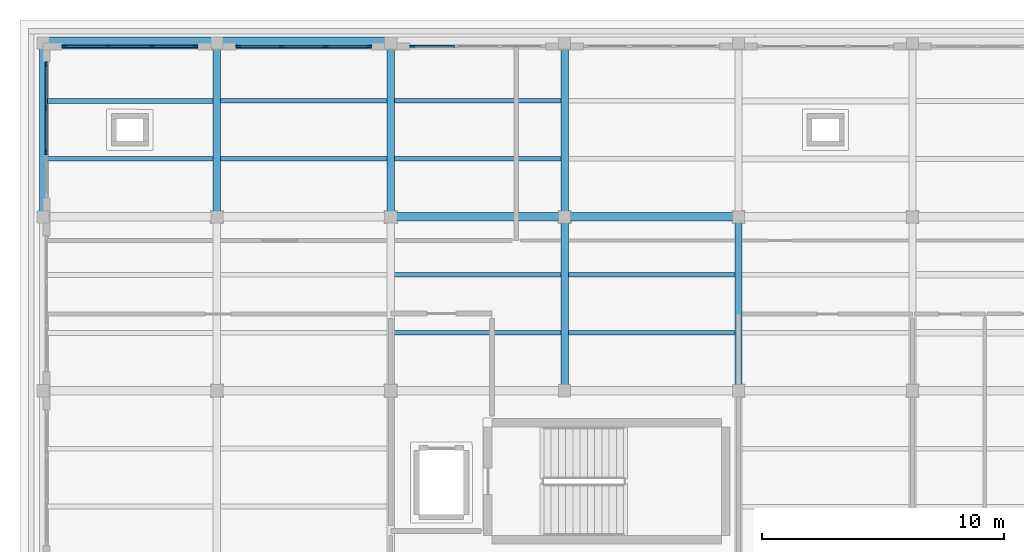
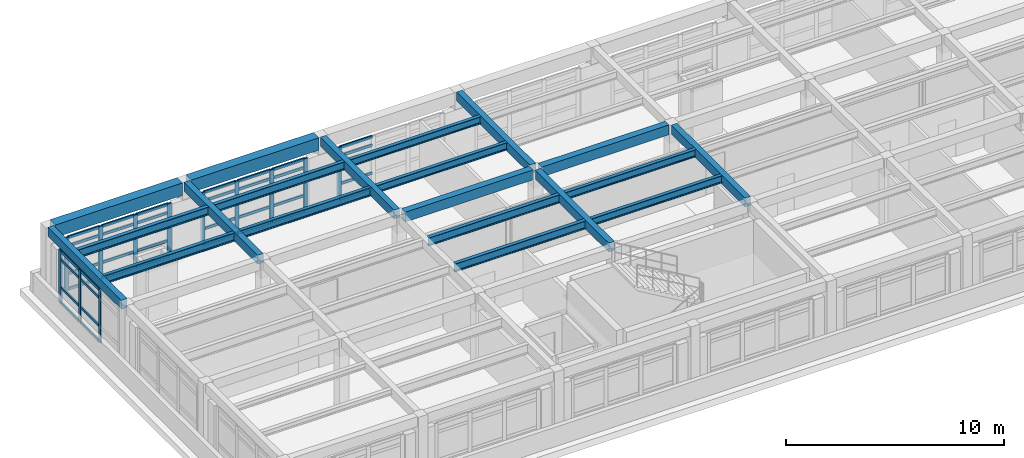
# One storey, part 4 of 20: 48 members, 20 beams, 4 elements without a shape of their own.
"""IFC4 building model written with IfcOpenShell, lengths in metres."""

from ifc_helpers import new_model, si_unit, direction, frame, origin, origin_2d, place, context, subcontext, project, spatial, rectangle, i_section, extrude, material, layer, layer_set, material_profile, profile_set, type_object, element, aggregate, save


model = new_model("IFC4")

# Units and contexts
model_context = context("Model", 3, precision=1e-05, world=origin(), true_north=direction((0.0, 1.0)))
body_context = subcontext(model_context, "Body", "Model", "MODEL_VIEW")
ifc_project = project(units=[si_unit("LENGTHUNIT", "METRE"), si_unit("AREAUNIT", "SQUARE_METRE"), si_unit("VOLUMEUNIT", "CUBIC_METRE"), si_unit("PLANEANGLEUNIT", "RADIAN"), si_unit("MASSUNIT", "GRAM", prefix="KILO")], contexts=[model_context])

# Site, building, storey
site_placement = place(None, origin())
site = spatial("IfcSite", under=ifc_project, at=site_placement, CompositionType="ELEMENT")
building_placement = place(site_placement, origin())
building = spatial("IfcBuilding", under=site, at=building_placement, Name="Solenvale Faculty of Natural Sciences", CompositionType="ELEMENT")
storey_placement = place(building_placement, frame((0.0, 0.0, 35.39990234375)))
storey = spatial("IfcBuildingStorey", under=building, at=storey_placement, Name="L08", CompositionType="ELEMENT", Elevation=35.39990234375)

# Beams
ifc_material_1 = material(Name="Concrete 40 MPa", Category="concrete")
ifc_material_profile_1 = material_profile(ifc_material_1, rectangle(XDim=0.300048828125, YDim=0.5, at=origin_2d()), Name="RC-BM-300x500")
ifc_profile_set_1 = profile_set([ifc_material_profile_1], Name="Concrete 40 MPa")
beam_type_1 = type_object("IfcBeamType", Name="BM-RC-300x500", PredefinedType="BEAM", material=ifc_profile_set_1)
for number, where, z_axis, x_axis, name in (
    (1, (86.39990234375, 108.22998046875, 3.670166015625), (0.0, 1.0, 0.0), (-1.0, 0.0, 0.0), "L08 Y-Girder X86.4 (108.0..115.2)"),
    (2, (93.60009765625, 108.22998046875, 3.670166015625), (0.0, 1.0, 0.0), (-1.0, 0.0, 0.0), "L08 Y-Girder X93.6 (108.0..115.2)"),
    (3, (100.800048828125, 108.22998046875, 3.670166015625), (0.0, 1.0, 0.0), (-1.0, 0.0, 0.0), "L08 Y-Girder X100.8 (108.0..115.2)"),
    (4, (108.0, 101.030029296875, 3.670166015625), (0.0, 1.0, 0.0), (-1.0, 0.0, 0.0), "L08 Y-Girder X108.0 (100.8..108.0)"),
    (5, (108.0, 108.22998046875, 3.670166015625), (0.0, 1.0, 0.0), (-1.0, 0.0, 0.0), "L08 Y-Girder X108.0 (108.0..115.2)"),
    (6, (115.199951171875, 101.030029296875, 3.670166015625), (0.0, 1.0, 0.0), (-1.0, 0.0, 0.0), "L08 Y-Girder X115.2 (100.8..108.0)"),
):
    element("IfcBeam", number, at=place(storey_placement, frame(where, z_axis=z_axis, x_axis=x_axis)), inside=storey, type_object=beam_type_1, Name=name, PredefinedType="BEAM", context=body_context, shape_type="SweptSolid", body=[
        extrude(rectangle(XDim=0.300048828125, YDim=0.5, at=origin_2d()), origin(), (0.0, 0.0, 1.0), 6.739990234375),
    ])
ifc_material_profile_2 = material_profile(ifc_material_1, rectangle(XDim=0.35009765625, YDim=0.550048828125, at=origin_2d()), Name="RC-BM-350x550")
ifc_profile_set_2 = profile_set([ifc_material_profile_2], Name="Concrete 40 MPa")
beam_type_2 = type_object("IfcBeamType", Name="BM-RC-350x550", PredefinedType="BEAM", material=ifc_profile_set_2)
for number, where, z_axis, x_axis, name in (
    (7, (101.030029296875, 108.0, 3.64501953125), (1.0, 0.0, 0.0), (0.0, 1.0, 0.0), "L08 X-Girder Y108.0 (100.8..108.0)"),
    (8, (108.22998046875, 108.0, 3.64501953125), (1.0, 0.0, 0.0), (0.0, 1.0, 0.0), "L08 X-Girder Y108.0 (108.0..115.2)"),
):
    element("IfcBeam", number, at=place(storey_placement, frame(where, z_axis=z_axis, x_axis=x_axis)), inside=storey, type_object=beam_type_2, Name=name, PredefinedType="BEAM", context=body_context, shape_type="SweptSolid", body=[
        extrude(rectangle(XDim=0.35009765625, YDim=0.550048828125, at=origin_2d()), origin(), (0.0, 0.0, 1.0), 6.739990234375),
    ])
ifc_material_2 = material(Name="Precast concrete 40 MPa", Category="concrete")
ifc_material_profile_3 = material_profile(ifc_material_2, rectangle(XDim=0.5, YDim=0.699951171875, at=origin_2d()), Name="RC-BM-500x700")
ifc_profile_set_3 = profile_set([ifc_material_profile_3], Name="Precast concrete 40 MPa")
beam_type_3 = type_object("IfcBeamType", Name="BM-SPN-PRC-700", PredefinedType="SPANDREL", material=ifc_profile_set_3)
beam_1_placement = place(storey_placement, frame((86.6298828125, 115.199951171875, 3.570068359375), z_axis=(1.0, 0.0, 0.0), x_axis=(0.0, 1.0, 0.0)))
element("IfcBeam", 9, at=beam_1_placement, inside=storey, type_object=beam_type_3, Name="L08 X-Girder Y115.2 (86.4..93.6)", PredefinedType="SPANDREL", context=body_context, shape_type="SweptSolid", body=[
    extrude(rectangle(XDim=0.5, YDim=0.699951171875, at=origin_2d()), origin(), (0.0, 0.0, 1.0), 6.740234375),
])
beam_2_placement = place(storey_placement, frame((93.830078125, 115.199951171875, 3.570068359375), z_axis=(1.0, 0.0, 0.0), x_axis=(0.0, 1.0, 0.0)))
element("IfcBeam", 10, at=beam_2_placement, inside=storey, type_object=beam_type_3, Name="L08 X-Girder Y115.2 (93.6..100.8)", PredefinedType="SPANDREL", context=body_context, shape_type="SweptSolid", body=[
    extrude(rectangle(XDim=0.5, YDim=0.699951171875, at=origin_2d()), origin(), (0.0, 0.0, 1.0), 6.739990234375),
])
ifc_material_3 = material(Name="Steel S355", Category="steel")
ifc_material_profile_4 = material_profile(ifc_material_3, i_section(OverallWidth=0.180908203125, OverallDepth=0.4169921875, WebThickness=0.010986328125, FlangeThickness=0.018310546875, FilletRadius=0.01611328125, at=origin_2d()), Name="W410x85")
ifc_profile_set_4 = profile_set([ifc_material_profile_4], Name="Steel S355")
beam_type_4 = type_object("IfcBeamType", Name="BM-STL-W410x85", PredefinedType="JOIST", material=ifc_profile_set_4)
for number, where, z_axis, x_axis, name in (
    (11, (100.929931640625, 110.39990234375, 3.711669921875), (1.0, 0.0, 0.0), (0.0, 1.0, 0.0), "L08 Composite Floor Joist (15,16).1"),
    (12, (100.929931640625, 112.800048828125, 3.711669921875), (1.0, 0.0, 0.0), (0.0, 1.0, 0.0), "L08 Composite Floor Joist (15,16).2"),
    (13, (108.1298828125, 103.199951171875, 3.711669921875), (1.0, 0.0, 0.0), (0.0, 1.0, 0.0), "L08 Composite Floor Joist (16,15).1"),
    (14, (108.1298828125, 105.60009765625, 3.711669921875), (1.0, 0.0, 0.0), (0.0, 1.0, 0.0), "L08 Composite Floor Joist (16,15).2"),
):
    element("IfcBeam", number, at=place(storey_placement, frame(where, z_axis=z_axis, x_axis=x_axis)), inside=storey, type_object=beam_type_4, Name=name, PredefinedType="JOIST", context=body_context, shape_type="SweptSolid", body=[
        extrude(i_section(OverallWidth=0.180908203125, OverallDepth=0.4169921875, WebThickness=0.010986328125, FlangeThickness=0.018310546875, FilletRadius=0.01611328125, at=origin_2d()), origin(), (0.0, 0.0, 1.0), 6.940185546875),
    ])
ifc_material_profile_5 = material_profile(ifc_material_3, i_section(OverallWidth=0.194091796875, OverallDepth=0.468994140625, WebThickness=0.0126953125, FlangeThickness=0.0205078125, FilletRadius=0.01806640625, at=origin_2d()), Name="W460x106")
ifc_profile_set_5 = profile_set([ifc_material_profile_5], Name="Steel S355")
beam_type_5 = type_object("IfcBeamType", Name="BM-STL-W460x106", PredefinedType="JOIST", material=ifc_profile_set_5)
for number, where, z_axis, x_axis, name in (
    (15, (86.530029296875, 110.39990234375, 3.685546875), (1.0, 0.0, 0.0), (0.0, 1.0, 0.0), "L08 Composite Floor Joist (13,16).1"),
    (16, (86.530029296875, 112.800048828125, 3.685546875), (1.0, 0.0, 0.0), (0.0, 1.0, 0.0), "L08 Composite Floor Joist (13,16).2"),
):
    element("IfcBeam", number, at=place(storey_placement, frame(where, z_axis=z_axis, x_axis=x_axis)), inside=storey, type_object=beam_type_5, Name=name, PredefinedType="JOIST", context=body_context, shape_type="SweptSolid", body=[
        extrude(i_section(OverallWidth=0.194091796875, OverallDepth=0.468994140625, WebThickness=0.0126953125, FlangeThickness=0.0205078125, FilletRadius=0.01806640625, at=origin_2d()), origin(), (0.0, 0.0, 1.0), 6.93994140625),
    ])
ifc_material_profile_6 = material_profile(ifc_material_3, i_section(OverallWidth=0.19091796875, OverallDepth=0.4599609375, WebThickness=0.010009765625, FlangeThickness=0.01611328125, FilletRadius=0.01806640625, at=origin_2d()), Name="W460x82")
ifc_profile_set_6 = profile_set([ifc_material_profile_6], Name="Steel S355")
beam_type_6 = type_object("IfcBeamType", Name="BM-STL-W460x82", PredefinedType="JOIST", material=ifc_profile_set_6)
for number, where, z_axis, x_axis, name in (
    (17, (93.72998046875, 110.39990234375, 3.690185546875), (1.0, 0.0, 0.0), (0.0, 1.0, 0.0), "L08 Composite Floor Joist (14,16).1"),
    (18, (93.72998046875, 112.800048828125, 3.690185546875), (1.0, 0.0, 0.0), (0.0, 1.0, 0.0), "L08 Composite Floor Joist (14,16).2"),
):
    element("IfcBeam", number, at=place(storey_placement, frame(where, z_axis=z_axis, x_axis=x_axis)), inside=storey, type_object=beam_type_6, Name=name, PredefinedType="JOIST", context=body_context, shape_type="SweptSolid", body=[
        extrude(i_section(OverallWidth=0.19091796875, OverallDepth=0.4599609375, WebThickness=0.010009765625, FlangeThickness=0.01611328125, FilletRadius=0.01806640625, at=origin_2d()), origin(), (0.0, 0.0, 1.0), 6.93994140625),
    ])
for number, where, z_axis, x_axis, name in (
    (19, (100.929931640625, 103.199951171875, 3.690185546875), (1.0, 0.0, 0.0), (0.0, 1.0, 0.0), "L08 Composite Floor Joist (15,15).1"),
    (20, (100.929931640625, 105.60009765625, 3.690185546875), (1.0, 0.0, 0.0), (0.0, 1.0, 0.0), "L08 Composite Floor Joist (15,15).2"),
):
    element("IfcBeam", number, at=place(storey_placement, frame(where, z_axis=z_axis, x_axis=x_axis)), inside=storey, type_object=beam_type_6, Name=name, PredefinedType="JOIST", context=body_context, shape_type="SweptSolid", body=[
        extrude(i_section(OverallWidth=0.19091796875, OverallDepth=0.4599609375, WebThickness=0.010009765625, FlangeThickness=0.01611328125, FilletRadius=0.01806640625, at=origin_2d()), origin(), (0.0, 0.0, 1.0), 6.940185546875),
    ])

# Curtain wall, member
ifc_material_4 = material(Name="Anodised bronze aluminium", Category="aluminium")
ifc_layer = layer(ifc_material_4, 0.179931640625)
ifc_layer_set = layer_set([ifc_layer], Name="Anodised bronze aluminium")
curtain_wall_type = type_object("IfcCurtainWallType", Name="CW-TWR-MOD", PredefinedType="USERDEFINED", material=ifc_layer_set)
curtain_wall_1_placement = place(storey_placement, origin())
curtain_wall_1 = element("IfcCurtainWall", 21, at=curtain_wall_1_placement, inside=storey, type_object=curtain_wall_type, Name="L08 Curtain Wall CW-L08-P1-E2-B7", ObjectType="UNITISED CURTAIN WALL", PredefinedType="USERDEFINED")
ifc_material_profile_7 = material_profile(ifc_material_4, rectangle(XDim=0.074951171875, YDim=0.2099609375, at=origin_2d()), Name="ALU-MUL-75x210")
ifc_profile_set_7 = profile_set([ifc_material_profile_7], Name="Anodised bronze aluminium")
member_type_1 = type_object("IfcMemberType", Name="CWM-ALU-75x210", PredefinedType="MULLION", material=ifc_profile_set_7)
member_1_placement = place(storey_placement, frame((101.6875, 115.0576171875, 0.0), z_axis=(0.0, 0.0, 1.0), x_axis=(0.0, -1.0, 0.0)))
member_1 = element("IfcMember", 22, at=member_1_placement, type_object=member_type_1, Name="CW-04 mullion 4", PredefinedType="MULLION", context=body_context, shape_type="SweptSolid", body=[
    extrude(rectangle(XDim=0.074951171875, YDim=0.2099609375, at=origin_2d()), origin(), (0.0, 0.0, 1.0), 2.960205078125),
])

# Curtain wall, members
curtain_wall_2_placement = place(storey_placement, origin())
curtain_wall_2 = element("IfcCurtainWall", 23, at=curtain_wall_2_placement, inside=storey, type_object=curtain_wall_type, Name="L08 Curtain Wall CW-L08-P1-E2-B8", ObjectType="UNITISED CURTAIN WALL", PredefinedType="USERDEFINED")
member_2_placement = place(storey_placement, frame((99.91259765625, 115.0576171875, 0.0), z_axis=(0.0, 0.0, 1.0), x_axis=(0.0, -1.0, 0.0)))
member_2 = element("IfcMember", 24, at=member_2_placement, type_object=member_type_1, Name="CW-04 mullion 1", PredefinedType="MULLION", context=body_context, shape_type="SweptSolid", body=[
    extrude(rectangle(XDim=0.074951171875, YDim=0.2099609375, at=origin_2d()), origin(), (0.0, 0.0, 1.0), 2.960205078125),
])
member_3_placement = place(storey_placement, frame((98.11669921875, 115.0576171875, 0.0), z_axis=(0.0, 0.0, 1.0), x_axis=(0.0, -1.0, 0.0)))
member_3 = element("IfcMember", 25, at=member_3_placement, type_object=member_type_1, Name="CW-04 mullion 2", PredefinedType="MULLION", context=body_context, shape_type="SweptSolid", body=[
    extrude(rectangle(XDim=0.074951171875, YDim=0.2099609375, at=origin_2d()), origin(), (0.0, 0.0, 1.0), 2.960205078125),
])
member_4_placement = place(storey_placement, frame((96.283447265625, 115.0576171875, 0.0), z_axis=(0.0, 0.0, 1.0), x_axis=(0.0, -1.0, 0.0)))
member_4 = element("IfcMember", 26, at=member_4_placement, type_object=member_type_1, Name="CW-04 mullion 3", PredefinedType="MULLION", context=body_context, shape_type="SweptSolid", body=[
    extrude(rectangle(XDim=0.074951171875, YDim=0.2099609375, at=origin_2d()), origin(), (0.0, 0.0, 1.0), 2.960205078125),
])
member_5_placement = place(storey_placement, frame((94.487548828125, 115.0576171875, 0.0), z_axis=(0.0, 0.0, 1.0), x_axis=(0.0, -1.0, 0.0)))
member_5 = element("IfcMember", 27, at=member_5_placement, type_object=member_type_1, Name="CW-04 mullion 4", PredefinedType="MULLION", context=body_context, shape_type="SweptSolid", body=[
    extrude(rectangle(XDim=0.074951171875, YDim=0.2099609375, at=origin_2d()), origin(), (0.0, 0.0, 1.0), 2.960205078125),
])

curtain_wall_3_placement = place(storey_placement, origin())
curtain_wall_3 = element("IfcCurtainWall", 28, at=curtain_wall_3_placement, inside=storey, type_object=curtain_wall_type, Name="L08 Curtain Wall CW-L08-P1-E2-B9", ObjectType="UNITISED CURTAIN WALL", PredefinedType="USERDEFINED")
member_6_placement = place(storey_placement, frame((92.71240234375, 115.0576171875, 0.0), z_axis=(0.0, 0.0, 1.0), x_axis=(0.0, -1.0, 0.0)))
member_6 = element("IfcMember", 29, at=member_6_placement, type_object=member_type_1, Name="CW-04 mullion 1", PredefinedType="MULLION", context=body_context, shape_type="SweptSolid", body=[
    extrude(rectangle(XDim=0.074951171875, YDim=0.2099609375, at=origin_2d()), origin(), (0.0, 0.0, 1.0), 2.960205078125),
])
member_7_placement = place(storey_placement, frame((90.916748046875, 115.0576171875, 0.0), z_axis=(0.0, 0.0, 1.0), x_axis=(0.0, -1.0, 0.0)))
member_7 = element("IfcMember", 30, at=member_7_placement, type_object=member_type_1, Name="CW-04 mullion 2", PredefinedType="MULLION", context=body_context, shape_type="SweptSolid", body=[
    extrude(rectangle(XDim=0.074951171875, YDim=0.2099609375, at=origin_2d()), origin(), (0.0, 0.0, 1.0), 2.960205078125),
])
member_8_placement = place(storey_placement, frame((89.083251953125, 115.0576171875, 0.0), z_axis=(0.0, 0.0, 1.0), x_axis=(0.0, -1.0, 0.0)))
member_8 = element("IfcMember", 31, at=member_8_placement, type_object=member_type_1, Name="CW-04 mullion 3", PredefinedType="MULLION", context=body_context, shape_type="SweptSolid", body=[
    extrude(rectangle(XDim=0.074951171875, YDim=0.2099609375, at=origin_2d()), origin(), (0.0, 0.0, 1.0), 2.960205078125),
])
member_9_placement = place(storey_placement, frame((87.28759765625, 115.0576171875, 0.0), z_axis=(0.0, 0.0, 1.0), x_axis=(0.0, -1.0, 0.0)))
member_9 = element("IfcMember", 32, at=member_9_placement, type_object=member_type_1, Name="CW-04 mullion 4", PredefinedType="MULLION", context=body_context, shape_type="SweptSolid", body=[
    extrude(rectangle(XDim=0.074951171875, YDim=0.2099609375, at=origin_2d()), origin(), (0.0, 0.0, 1.0), 2.960205078125),
])

curtain_wall_4_placement = place(storey_placement, origin())
curtain_wall_4 = element("IfcCurtainWall", 33, at=curtain_wall_4_placement, inside=storey, type_object=curtain_wall_type, Name="L08 Curtain Wall CW-L08-P1-E3-B1", ObjectType="UNITISED CURTAIN WALL", PredefinedType="USERDEFINED")
member_10_placement = place(storey_placement, frame((86.54248046875, 114.3125, 0.0), z_axis=(0.0, 0.0, 1.0), x_axis=(1.0, 0.0, 0.0)))
member_10 = element("IfcMember", 34, at=member_10_placement, type_object=member_type_1, Name="CW-04 mullion 1", PredefinedType="MULLION", context=body_context, shape_type="SweptSolid", body=[
    extrude(rectangle(XDim=0.074951171875, YDim=0.2099609375, at=origin_2d()), origin(), (0.0, 0.0, 1.0), 2.960205078125),
])
member_11_placement = place(storey_placement, frame((86.54248046875, 112.5166015625, 0.0), z_axis=(0.0, 0.0, 1.0), x_axis=(1.0, 0.0, 0.0)))
member_11 = element("IfcMember", 35, at=member_11_placement, type_object=member_type_1, Name="CW-04 mullion 2", PredefinedType="MULLION", context=body_context, shape_type="SweptSolid", body=[
    extrude(rectangle(XDim=0.074951171875, YDim=0.2099609375, at=origin_2d()), origin(), (0.0, 0.0, 1.0), 2.960205078125),
])
member_12_placement = place(storey_placement, frame((86.54248046875, 110.683349609375, 0.0), z_axis=(0.0, 0.0, 1.0), x_axis=(1.0, 0.0, 0.0)))
member_12 = element("IfcMember", 36, at=member_12_placement, type_object=member_type_1, Name="CW-04 mullion 3", PredefinedType="MULLION", context=body_context, shape_type="SweptSolid", body=[
    extrude(rectangle(XDim=0.074951171875, YDim=0.2099609375, at=origin_2d()), origin(), (0.0, 0.0, 1.0), 2.960205078125),
])

# Member
ifc_material_profile_8 = material_profile(ifc_material_4, rectangle(XDim=0.074951171875, YDim=0.155029296875, at=origin_2d()), Name="ALU-TRN-75x155")
ifc_profile_set_8 = profile_set([ifc_material_profile_8], Name="Anodised bronze aluminium")
member_type_2 = type_object("IfcMemberType", Name="CWT-ALU-75x155", PredefinedType="USERDEFINED", material=ifc_profile_set_8)
member_13_placement = place(storey_placement, frame((103.44580078125, 115.0576171875, 0.03759765625), z_axis=(-1.0, 0.0, 0.0), x_axis=(0.0, -1.0, 0.0)))
member_13 = element("IfcMember", 37, at=member_13_placement, type_object=member_type_2, Name="CW-04 transom 3.1", ObjectType="TRANSOM", PredefinedType="USERDEFINED", context=body_context, shape_type="SweptSolid", body=[
    extrude(rectangle(XDim=0.074951171875, YDim=0.155029296875, at=origin_2d()), origin(), (0.0, 0.0, 1.0), 1.720703125),
])

member_14_placement = place(storey_placement, frame((103.44580078125, 115.0576171875, 0.900146484375), z_axis=(-1.0, 0.0, 0.0), x_axis=(0.0, -1.0, 0.0)))
member_14 = element("IfcMember", 38, at=member_14_placement, type_object=member_type_2, Name="CW-04 transom 3.2", ObjectType="TRANSOM", PredefinedType="USERDEFINED", context=body_context, shape_type="SweptSolid", body=[
    extrude(rectangle(XDim=0.074951171875, YDim=0.155029296875, at=origin_2d()), origin(), (0.0, 0.0, 1.0), 1.720703125),
])

member_15_placement = place(storey_placement, frame((103.44580078125, 115.0576171875, 2.460205078125), z_axis=(-1.0, 0.0, 0.0), x_axis=(0.0, -1.0, 0.0)))
member_15 = element("IfcMember", 39, at=member_15_placement, type_object=member_type_2, Name="CW-04 transom 3.3", ObjectType="TRANSOM", PredefinedType="USERDEFINED", context=body_context, shape_type="SweptSolid", body=[
    extrude(rectangle(XDim=0.074951171875, YDim=0.155029296875, at=origin_2d()), origin(), (0.0, 0.0, 1.0), 1.720703125),
])

member_16_placement = place(storey_placement, frame((103.44580078125, 115.0576171875, 2.922607421875), z_axis=(-1.0, 0.0, 0.0), x_axis=(0.0, -1.0, 0.0)))
member_16 = element("IfcMember", 40, at=member_16_placement, type_object=member_type_2, Name="CW-04 transom 3.4", ObjectType="TRANSOM", PredefinedType="USERDEFINED", context=body_context, shape_type="SweptSolid", body=[
    extrude(rectangle(XDim=0.074951171875, YDim=0.155029296875, at=origin_2d()), origin(), (0.0, 0.0, 1.0), 1.720703125),
])

aggregate(curtain_wall_1, [member_1, member_13, member_14, member_15, member_16])

member_17_placement = place(storey_placement, frame((99.875, 115.0576171875, 0.03759765625), z_axis=(-1.0, 0.0, 0.0), x_axis=(0.0, -1.0, 0.0)))
member_17 = element("IfcMember", 41, at=member_17_placement, type_object=member_type_2, Name="CW-04 transom 1.1", ObjectType="TRANSOM", PredefinedType="USERDEFINED", context=body_context, shape_type="SweptSolid", body=[
    extrude(rectangle(XDim=0.074951171875, YDim=0.155029296875, at=origin_2d()), origin(), (0.0, 0.0, 1.0), 1.720947265625),
])

member_18_placement = place(storey_placement, frame((99.875, 115.0576171875, 0.900146484375), z_axis=(-1.0, 0.0, 0.0), x_axis=(0.0, -1.0, 0.0)))
member_18 = element("IfcMember", 42, at=member_18_placement, type_object=member_type_2, Name="CW-04 transom 1.2", ObjectType="TRANSOM", PredefinedType="USERDEFINED", context=body_context, shape_type="SweptSolid", body=[
    extrude(rectangle(XDim=0.074951171875, YDim=0.155029296875, at=origin_2d()), origin(), (0.0, 0.0, 1.0), 1.720947265625),
])

member_19_placement = place(storey_placement, frame((99.875, 115.0576171875, 2.460205078125), z_axis=(-1.0, 0.0, 0.0), x_axis=(0.0, -1.0, 0.0)))
member_19 = element("IfcMember", 43, at=member_19_placement, type_object=member_type_2, Name="CW-04 transom 1.3", ObjectType="TRANSOM", PredefinedType="USERDEFINED", context=body_context, shape_type="SweptSolid", body=[
    extrude(rectangle(XDim=0.074951171875, YDim=0.155029296875, at=origin_2d()), origin(), (0.0, 0.0, 1.0), 1.720947265625),
])

member_20_placement = place(storey_placement, frame((99.875, 115.0576171875, 2.922607421875), z_axis=(-1.0, 0.0, 0.0), x_axis=(0.0, -1.0, 0.0)))
member_20 = element("IfcMember", 44, at=member_20_placement, type_object=member_type_2, Name="CW-04 transom 1.4", ObjectType="TRANSOM", PredefinedType="USERDEFINED", context=body_context, shape_type="SweptSolid", body=[
    extrude(rectangle(XDim=0.074951171875, YDim=0.155029296875, at=origin_2d()), origin(), (0.0, 0.0, 1.0), 1.720947265625),
])

member_21_placement = place(storey_placement, frame((98.0791015625, 115.0576171875, 0.03759765625), z_axis=(-1.0, 0.0, 0.0), x_axis=(0.0, -1.0, 0.0)))
member_21 = element("IfcMember", 45, at=member_21_placement, type_object=member_type_2, Name="CW-04 transom 2.1", ObjectType="TRANSOM", PredefinedType="USERDEFINED", context=body_context, shape_type="SweptSolid", body=[
    extrude(rectangle(XDim=0.074951171875, YDim=0.155029296875, at=origin_2d()), origin(), (0.0, 0.0, 1.0), 1.75830078125),
])

member_22_placement = place(storey_placement, frame((98.0791015625, 115.0576171875, 0.900146484375), z_axis=(-1.0, 0.0, 0.0), x_axis=(0.0, -1.0, 0.0)))
member_22 = element("IfcMember", 46, at=member_22_placement, type_object=member_type_2, Name="CW-04 transom 2.2", ObjectType="TRANSOM", PredefinedType="USERDEFINED", context=body_context, shape_type="SweptSolid", body=[
    extrude(rectangle(XDim=0.074951171875, YDim=0.155029296875, at=origin_2d()), origin(), (0.0, 0.0, 1.0), 1.75830078125),
])

member_23_placement = place(storey_placement, frame((98.0791015625, 115.0576171875, 2.460205078125), z_axis=(-1.0, 0.0, 0.0), x_axis=(0.0, -1.0, 0.0)))
member_23 = element("IfcMember", 47, at=member_23_placement, type_object=member_type_2, Name="CW-04 transom 2.3", ObjectType="TRANSOM", PredefinedType="USERDEFINED", context=body_context, shape_type="SweptSolid", body=[
    extrude(rectangle(XDim=0.074951171875, YDim=0.155029296875, at=origin_2d()), origin(), (0.0, 0.0, 1.0), 1.75830078125),
])

member_24_placement = place(storey_placement, frame((98.0791015625, 115.0576171875, 2.922607421875), z_axis=(-1.0, 0.0, 0.0), x_axis=(0.0, -1.0, 0.0)))
member_24 = element("IfcMember", 48, at=member_24_placement, type_object=member_type_2, Name="CW-04 transom 2.4", ObjectType="TRANSOM", PredefinedType="USERDEFINED", context=body_context, shape_type="SweptSolid", body=[
    extrude(rectangle(XDim=0.074951171875, YDim=0.155029296875, at=origin_2d()), origin(), (0.0, 0.0, 1.0), 1.75830078125),
])

member_25_placement = place(storey_placement, frame((96.245849609375, 115.0576171875, 0.03759765625), z_axis=(-1.0, 0.0, 0.0), x_axis=(0.0, -1.0, 0.0)))
member_25 = element("IfcMember", 49, at=member_25_placement, type_object=member_type_2, Name="CW-04 transom 3.1", ObjectType="TRANSOM", PredefinedType="USERDEFINED", context=body_context, shape_type="SweptSolid", body=[
    extrude(rectangle(XDim=0.074951171875, YDim=0.155029296875, at=origin_2d()), origin(), (0.0, 0.0, 1.0), 1.720947265625),
])

member_26_placement = place(storey_placement, frame((96.245849609375, 115.0576171875, 0.900146484375), z_axis=(-1.0, 0.0, 0.0), x_axis=(0.0, -1.0, 0.0)))
member_26 = element("IfcMember", 50, at=member_26_placement, type_object=member_type_2, Name="CW-04 transom 3.2", ObjectType="TRANSOM", PredefinedType="USERDEFINED", context=body_context, shape_type="SweptSolid", body=[
    extrude(rectangle(XDim=0.074951171875, YDim=0.155029296875, at=origin_2d()), origin(), (0.0, 0.0, 1.0), 1.720947265625),
])

member_27_placement = place(storey_placement, frame((96.245849609375, 115.0576171875, 2.460205078125), z_axis=(-1.0, 0.0, 0.0), x_axis=(0.0, -1.0, 0.0)))
member_27 = element("IfcMember", 51, at=member_27_placement, type_object=member_type_2, Name="CW-04 transom 3.3", ObjectType="TRANSOM", PredefinedType="USERDEFINED", context=body_context, shape_type="SweptSolid", body=[
    extrude(rectangle(XDim=0.074951171875, YDim=0.155029296875, at=origin_2d()), origin(), (0.0, 0.0, 1.0), 1.720947265625),
])

member_28_placement = place(storey_placement, frame((96.245849609375, 115.0576171875, 2.922607421875), z_axis=(-1.0, 0.0, 0.0), x_axis=(0.0, -1.0, 0.0)))
member_28 = element("IfcMember", 52, at=member_28_placement, type_object=member_type_2, Name="CW-04 transom 3.4", ObjectType="TRANSOM", PredefinedType="USERDEFINED", context=body_context, shape_type="SweptSolid", body=[
    extrude(rectangle(XDim=0.074951171875, YDim=0.155029296875, at=origin_2d()), origin(), (0.0, 0.0, 1.0), 1.720947265625),
])

aggregate(curtain_wall_2, [member_2, member_3, member_4, member_5, member_17, member_18, member_19, member_20, member_21, member_22, member_23, member_24, member_25, member_26, member_27, member_28])

member_29_placement = place(storey_placement, frame((92.675048828125, 115.0576171875, 0.03759765625), z_axis=(-1.0, 0.0, 0.0), x_axis=(0.0, -1.0, 0.0)))
member_29 = element("IfcMember", 53, at=member_29_placement, type_object=member_type_2, Name="CW-04 transom 1.1", ObjectType="TRANSOM", PredefinedType="USERDEFINED", context=body_context, shape_type="SweptSolid", body=[
    extrude(rectangle(XDim=0.074951171875, YDim=0.155029296875, at=origin_2d()), origin(), (0.0, 0.0, 1.0), 1.720947265625),
])

member_30_placement = place(storey_placement, frame((92.675048828125, 115.0576171875, 0.900146484375), z_axis=(-1.0, 0.0, 0.0), x_axis=(0.0, -1.0, 0.0)))
member_30 = element("IfcMember", 54, at=member_30_placement, type_object=member_type_2, Name="CW-04 transom 1.2", ObjectType="TRANSOM", PredefinedType="USERDEFINED", context=body_context, shape_type="SweptSolid", body=[
    extrude(rectangle(XDim=0.074951171875, YDim=0.155029296875, at=origin_2d()), origin(), (0.0, 0.0, 1.0), 1.720947265625),
])

member_31_placement = place(storey_placement, frame((92.675048828125, 115.0576171875, 2.460205078125), z_axis=(-1.0, 0.0, 0.0), x_axis=(0.0, -1.0, 0.0)))
member_31 = element("IfcMember", 55, at=member_31_placement, type_object=member_type_2, Name="CW-04 transom 1.3", ObjectType="TRANSOM", PredefinedType="USERDEFINED", context=body_context, shape_type="SweptSolid", body=[
    extrude(rectangle(XDim=0.074951171875, YDim=0.155029296875, at=origin_2d()), origin(), (0.0, 0.0, 1.0), 1.720947265625),
])

member_32_placement = place(storey_placement, frame((92.675048828125, 115.0576171875, 2.922607421875), z_axis=(-1.0, 0.0, 0.0), x_axis=(0.0, -1.0, 0.0)))
member_32 = element("IfcMember", 56, at=member_32_placement, type_object=member_type_2, Name="CW-04 transom 1.4", ObjectType="TRANSOM", PredefinedType="USERDEFINED", context=body_context, shape_type="SweptSolid", body=[
    extrude(rectangle(XDim=0.074951171875, YDim=0.155029296875, at=origin_2d()), origin(), (0.0, 0.0, 1.0), 1.720947265625),
])

member_33_placement = place(storey_placement, frame((90.879150390625, 115.0576171875, 0.03759765625), z_axis=(-1.0, 0.0, 0.0), x_axis=(0.0, -1.0, 0.0)))
member_33 = element("IfcMember", 57, at=member_33_placement, type_object=member_type_2, Name="CW-04 transom 2.1", ObjectType="TRANSOM", PredefinedType="USERDEFINED", context=body_context, shape_type="SweptSolid", body=[
    extrude(rectangle(XDim=0.074951171875, YDim=0.155029296875, at=origin_2d()), origin(), (0.0, 0.0, 1.0), 1.75830078125),
])

member_34_placement = place(storey_placement, frame((90.879150390625, 115.0576171875, 0.900146484375), z_axis=(-1.0, 0.0, 0.0), x_axis=(0.0, -1.0, 0.0)))
member_34 = element("IfcMember", 58, at=member_34_placement, type_object=member_type_2, Name="CW-04 transom 2.2", ObjectType="TRANSOM", PredefinedType="USERDEFINED", context=body_context, shape_type="SweptSolid", body=[
    extrude(rectangle(XDim=0.074951171875, YDim=0.155029296875, at=origin_2d()), origin(), (0.0, 0.0, 1.0), 1.75830078125),
])

member_35_placement = place(storey_placement, frame((90.879150390625, 115.0576171875, 2.460205078125), z_axis=(-1.0, 0.0, 0.0), x_axis=(0.0, -1.0, 0.0)))
member_35 = element("IfcMember", 59, at=member_35_placement, type_object=member_type_2, Name="CW-04 transom 2.3", ObjectType="TRANSOM", PredefinedType="USERDEFINED", context=body_context, shape_type="SweptSolid", body=[
    extrude(rectangle(XDim=0.074951171875, YDim=0.155029296875, at=origin_2d()), origin(), (0.0, 0.0, 1.0), 1.75830078125),
])

member_36_placement = place(storey_placement, frame((90.879150390625, 115.0576171875, 2.922607421875), z_axis=(-1.0, 0.0, 0.0), x_axis=(0.0, -1.0, 0.0)))
member_36 = element("IfcMember", 60, at=member_36_placement, type_object=member_type_2, Name="CW-04 transom 2.4", ObjectType="TRANSOM", PredefinedType="USERDEFINED", context=body_context, shape_type="SweptSolid", body=[
    extrude(rectangle(XDim=0.074951171875, YDim=0.155029296875, at=origin_2d()), origin(), (0.0, 0.0, 1.0), 1.75830078125),
])

member_37_placement = place(storey_placement, frame((89.0458984375, 115.0576171875, 0.03759765625), z_axis=(-1.0, 0.0, 0.0), x_axis=(0.0, -1.0, 0.0)))
member_37 = element("IfcMember", 61, at=member_37_placement, type_object=member_type_2, Name="CW-04 transom 3.1", ObjectType="TRANSOM", PredefinedType="USERDEFINED", context=body_context, shape_type="SweptSolid", body=[
    extrude(rectangle(XDim=0.074951171875, YDim=0.155029296875, at=origin_2d()), origin(), (0.0, 0.0, 1.0), 1.720947265625),
])

member_38_placement = place(storey_placement, frame((89.0458984375, 115.0576171875, 0.900146484375), z_axis=(-1.0, 0.0, 0.0), x_axis=(0.0, -1.0, 0.0)))
member_38 = element("IfcMember", 62, at=member_38_placement, type_object=member_type_2, Name="CW-04 transom 3.2", ObjectType="TRANSOM", PredefinedType="USERDEFINED", context=body_context, shape_type="SweptSolid", body=[
    extrude(rectangle(XDim=0.074951171875, YDim=0.155029296875, at=origin_2d()), origin(), (0.0, 0.0, 1.0), 1.720947265625),
])

member_39_placement = place(storey_placement, frame((89.0458984375, 115.0576171875, 2.460205078125), z_axis=(-1.0, 0.0, 0.0), x_axis=(0.0, -1.0, 0.0)))
member_39 = element("IfcMember", 63, at=member_39_placement, type_object=member_type_2, Name="CW-04 transom 3.3", ObjectType="TRANSOM", PredefinedType="USERDEFINED", context=body_context, shape_type="SweptSolid", body=[
    extrude(rectangle(XDim=0.074951171875, YDim=0.155029296875, at=origin_2d()), origin(), (0.0, 0.0, 1.0), 1.720947265625),
])

member_40_placement = place(storey_placement, frame((89.0458984375, 115.0576171875, 2.922607421875), z_axis=(-1.0, 0.0, 0.0), x_axis=(0.0, -1.0, 0.0)))
member_40 = element("IfcMember", 64, at=member_40_placement, type_object=member_type_2, Name="CW-04 transom 3.4", ObjectType="TRANSOM", PredefinedType="USERDEFINED", context=body_context, shape_type="SweptSolid", body=[
    extrude(rectangle(XDim=0.074951171875, YDim=0.155029296875, at=origin_2d()), origin(), (0.0, 0.0, 1.0), 1.720947265625),
])

aggregate(curtain_wall_3, [member_6, member_7, member_8, member_9, member_29, member_30, member_31, member_32, member_33, member_34, member_35, member_36, member_37, member_38, member_39, member_40])

member_41_placement = place(storey_placement, frame((86.54248046875, 114.27490234375, 0.03759765625), z_axis=(0.0, -1.0, 0.0), x_axis=(1.0, 0.0, 0.0)))
member_41 = element("IfcMember", 65, at=member_41_placement, type_object=member_type_2, Name="CW-04 transom 1.1", ObjectType="TRANSOM", PredefinedType="USERDEFINED", context=body_context, shape_type="SweptSolid", body=[
    extrude(rectangle(XDim=0.074951171875, YDim=0.155029296875, at=origin_2d()), origin(), (0.0, 0.0, 1.0), 1.720703125),
])

member_42_placement = place(storey_placement, frame((86.54248046875, 114.27490234375, 0.900146484375), z_axis=(0.0, -1.0, 0.0), x_axis=(1.0, 0.0, 0.0)))
member_42 = element("IfcMember", 66, at=member_42_placement, type_object=member_type_2, Name="CW-04 transom 1.2", ObjectType="TRANSOM", PredefinedType="USERDEFINED", context=body_context, shape_type="SweptSolid", body=[
    extrude(rectangle(XDim=0.074951171875, YDim=0.155029296875, at=origin_2d()), origin(), (0.0, 0.0, 1.0), 1.720703125),
])

member_43_placement = place(storey_placement, frame((86.54248046875, 114.27490234375, 2.460205078125), z_axis=(0.0, -1.0, 0.0), x_axis=(1.0, 0.0, 0.0)))
member_43 = element("IfcMember", 67, at=member_43_placement, type_object=member_type_2, Name="CW-04 transom 1.3", ObjectType="TRANSOM", PredefinedType="USERDEFINED", context=body_context, shape_type="SweptSolid", body=[
    extrude(rectangle(XDim=0.074951171875, YDim=0.155029296875, at=origin_2d()), origin(), (0.0, 0.0, 1.0), 1.720703125),
])

member_44_placement = place(storey_placement, frame((86.54248046875, 114.27490234375, 2.922607421875), z_axis=(0.0, -1.0, 0.0), x_axis=(1.0, 0.0, 0.0)))
member_44 = element("IfcMember", 68, at=member_44_placement, type_object=member_type_2, Name="CW-04 transom 1.4", ObjectType="TRANSOM", PredefinedType="USERDEFINED", context=body_context, shape_type="SweptSolid", body=[
    extrude(rectangle(XDim=0.074951171875, YDim=0.155029296875, at=origin_2d()), origin(), (0.0, 0.0, 1.0), 1.720703125),
])

member_45_placement = place(storey_placement, frame((86.54248046875, 112.479248046875, 0.03759765625), z_axis=(0.0, -1.0, 0.0), x_axis=(1.0, 0.0, 0.0)))
member_45 = element("IfcMember", 69, at=member_45_placement, type_object=member_type_2, Name="CW-04 transom 2.1", ObjectType="TRANSOM", PredefinedType="USERDEFINED", context=body_context, shape_type="SweptSolid", body=[
    extrude(rectangle(XDim=0.074951171875, YDim=0.155029296875, at=origin_2d()), origin(), (0.0, 0.0, 1.0), 1.75830078125),
])

member_46_placement = place(storey_placement, frame((86.54248046875, 112.479248046875, 0.900146484375), z_axis=(0.0, -1.0, 0.0), x_axis=(1.0, 0.0, 0.0)))
member_46 = element("IfcMember", 70, at=member_46_placement, type_object=member_type_2, Name="CW-04 transom 2.2", ObjectType="TRANSOM", PredefinedType="USERDEFINED", context=body_context, shape_type="SweptSolid", body=[
    extrude(rectangle(XDim=0.074951171875, YDim=0.155029296875, at=origin_2d()), origin(), (0.0, 0.0, 1.0), 1.75830078125),
])

member_47_placement = place(storey_placement, frame((86.54248046875, 112.479248046875, 2.460205078125), z_axis=(0.0, -1.0, 0.0), x_axis=(1.0, 0.0, 0.0)))
member_47 = element("IfcMember", 71, at=member_47_placement, type_object=member_type_2, Name="CW-04 transom 2.3", ObjectType="TRANSOM", PredefinedType="USERDEFINED", context=body_context, shape_type="SweptSolid", body=[
    extrude(rectangle(XDim=0.074951171875, YDim=0.155029296875, at=origin_2d()), origin(), (0.0, 0.0, 1.0), 1.75830078125),
])

member_48_placement = place(storey_placement, frame((86.54248046875, 112.479248046875, 2.922607421875), z_axis=(0.0, -1.0, 0.0), x_axis=(1.0, 0.0, 0.0)))
member_48 = element("IfcMember", 72, at=member_48_placement, type_object=member_type_2, Name="CW-04 transom 2.4", ObjectType="TRANSOM", PredefinedType="USERDEFINED", context=body_context, shape_type="SweptSolid", body=[
    extrude(rectangle(XDim=0.074951171875, YDim=0.155029296875, at=origin_2d()), origin(), (0.0, 0.0, 1.0), 1.75830078125),
])

aggregate(curtain_wall_4, [member_10, member_11, member_12, member_41, member_42, member_43, member_44, member_45, member_46, member_47, member_48])

save(model, "model.ifc")
